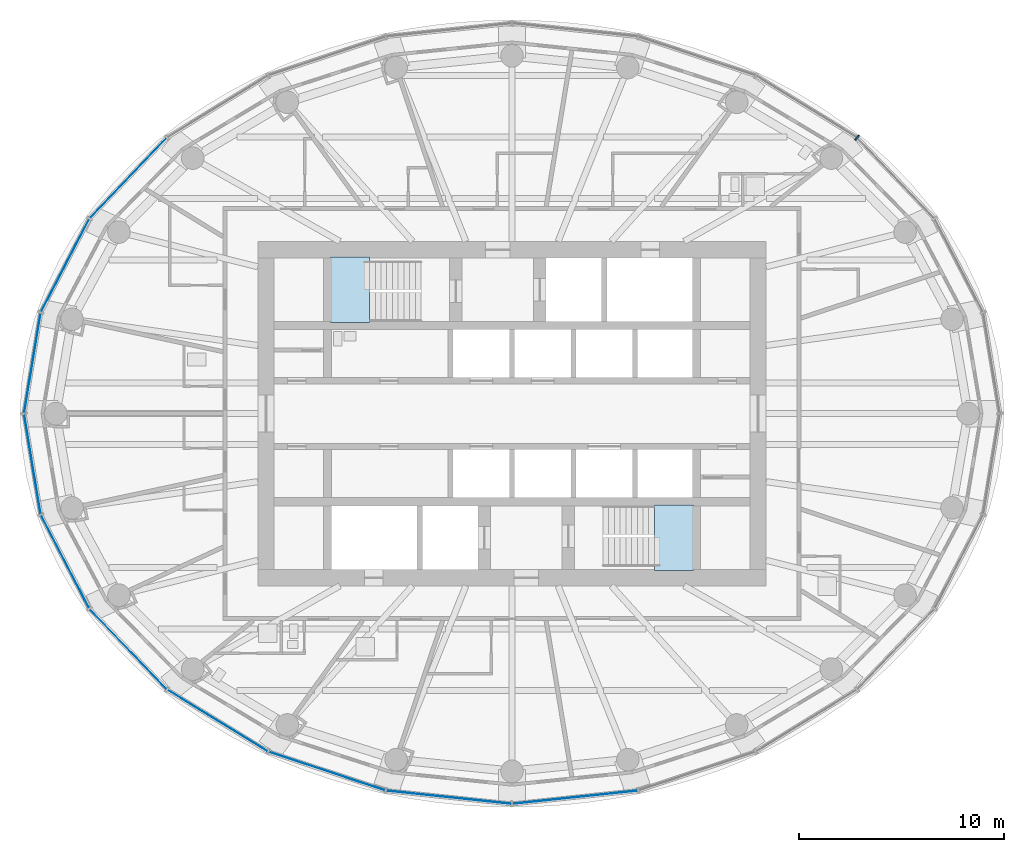
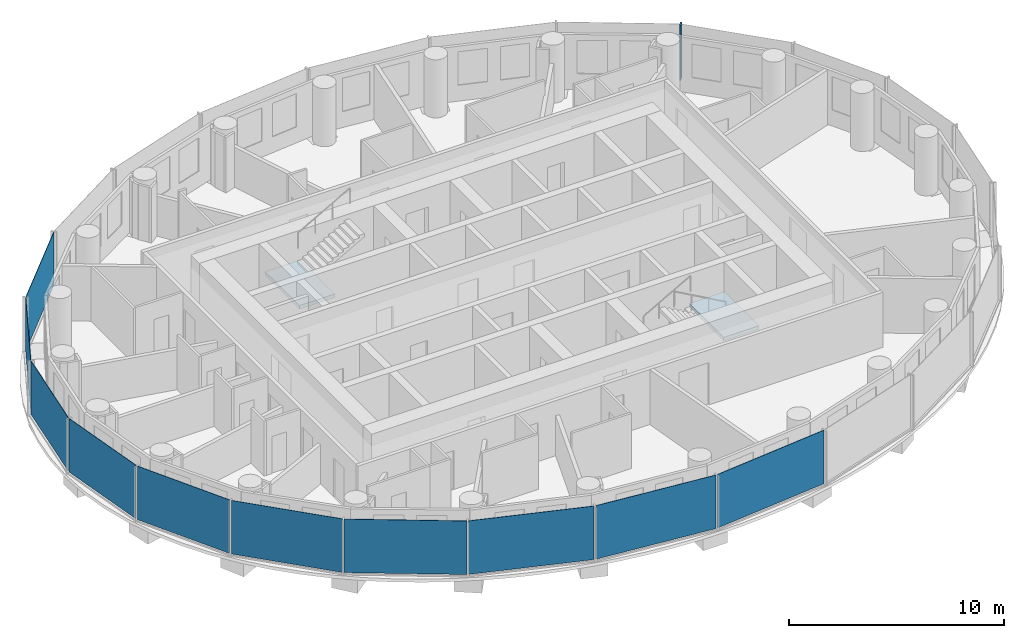
# One storey, part 5 of 16: 10 plates, 2 slabs, 1 member, 6 elements without a shape of their own.
"""IFC4 building model written with IfcOpenShell, lengths in metres."""

from ifc_helpers import new_model, si_unit, direction, frame, origin, origin_2d, place, context, subcontext, project, spatial, polyline, rectangle, outline, extrude, material, layer, layer_set, material_profile, profile_set, type_object, element, aggregate, save


model = new_model("IFC4")

# Units and contexts
model_context = context("Model", 3, precision=1e-05, world=origin(), true_north=direction((0.0, 1.0)))
body_context = subcontext(model_context, "Body", "Model", "MODEL_VIEW")
ifc_project = project(units=[si_unit("LENGTHUNIT", "METRE"), si_unit("AREAUNIT", "SQUARE_METRE"), si_unit("VOLUMEUNIT", "CUBIC_METRE"), si_unit("PLANEANGLEUNIT", "RADIAN"), si_unit("MASSUNIT", "GRAM", prefix="KILO")], contexts=[model_context])

# Site, building, storey
site_placement = place(None, origin())
site = spatial("IfcSite", under=ifc_project, at=site_placement, CompositionType="ELEMENT")
building_placement = place(site_placement, origin())
building = spatial("IfcBuilding", under=site, at=building_placement, Name="Hankou Lantern Tower", CompositionType="ELEMENT")
storey_placement = place(building_placement, frame((0.0, 0.0, 143.39990234375)))
storey = spatial("IfcBuildingStorey", under=building, at=storey_placement, Name="L37", CompositionType="ELEMENT", Elevation=143.39990234375)

# Curtain wall, member
ifc_material_1 = material(Name="Glass, dark grey tinted laminated", Category="glass")
curtain_wall_type = type_object("IfcCurtainWallType", Name="CWC OUTER SKIN HIGH-RISE", PredefinedType="USERDEFINED", material=ifc_material_1)
curtain_wall_1_placement = place(storey_placement, origin())
curtain_wall_1 = element("IfcCurtainWall", 1, at=curtain_wall_1_placement, inside=storey, type_object=curtain_wall_type, Name="CWC L37 OS1", ObjectType="OUTER SKIN HIGH-RISE", PredefinedType="USERDEFINED")
ifc_material_2 = material(Name="Aluminium, black anodised", Category="aluminium")
ifc_material_profile = material_profile(ifc_material_2, rectangle(XDim=0.080078125, YDim=0.300048828125, at=origin_2d()), Name="MU1 80X300")
ifc_profile_set = profile_set([ifc_material_profile], Name="Aluminium, black anodised")
member_type = type_object("IfcMemberType", Name="MU1 OUTER SKIN MULLION 80X300", PredefinedType="MULLION", material=ifc_profile_set)
member_placement = place(storey_placement, frame((16.8291015625, 13.46337890625, 0.0), z_axis=(0.0, 0.0, 1.0), x_axis=(-0.780868809444, 0.624695047553, 0.0)))
member = element("IfcMember", 2, at=member_placement, type_object=member_type, Name="CWC mullion 4", PredefinedType="MULLION", context=body_context, shape_type="SweptSolid", body=[
    extrude(rectangle(XDim=0.080078125, YDim=0.300048828125, at=origin_2d()), origin(), (0.0, 0.0, 1.0), 3.1201171875),
])
aggregate(curtain_wall_1, [member])

# Curtain wall, plates
curtain_wall_2_placement = place(storey_placement, origin())
curtain_wall_2 = element("IfcCurtainWall", 3, at=curtain_wall_2_placement, inside=storey, type_object=curtain_wall_type, Name="CWC L37 OS2", ObjectType="OUTER SKIN HIGH-RISE", PredefinedType="USERDEFINED")
ifc_material_3 = material(Name="Glass, dark grey tinted laminated", Category="glass")
ifc_layer_1 = layer(ifc_material_3, 0.02392578125)
ifc_layer_set_1 = layer_set([ifc_layer_1], Name="Glass, dark grey tinted laminated")
plate_type = type_object("IfcPlateType", Name="PN1 OUTER SKIN GLASS PANEL", PredefinedType="CURTAIN_PANEL", material=ifc_layer_set_1)
plate_1_placement = place(storey_placement, frame((-18.72021484375, 11.49169921875, 0.080078125), z_axis=(0.0, 0.0, 1.0), x_axis=(-0.692215809936, -0.721690565599, 0.0)))
plate_1 = element("IfcPlate", 4, at=plate_1_placement, type_object=plate_type, Name="CWC glass panel 4", PredefinedType="CURTAIN_PANEL", context=body_context, shape_type="SweptSolid", body=[
    extrude(rectangle(XDim=5.384033203125, YDim=0.02392578125, at=origin_2d()), origin(), (0.0, 0.0, 1.0), 3.0400390625),
])
plate_2_placement = place(storey_placement, frame((-21.80029296875, 7.223876953125, 0.080078125), z_axis=(0.0, 0.0, 1.0), x_axis=(-0.459791091957, -0.888027112062, 0.0)))
plate_2 = element("IfcPlate", 5, at=plate_2_placement, type_object=plate_type, Name="CWC glass panel 5", PredefinedType="CURTAIN_PANEL", context=body_context, shape_type="SweptSolid", body=[
    extrude(rectangle(XDim=5.091064453125, YDim=0.02392578125, at=origin_2d()), origin(), (0.0, 0.0, 1.0), 3.0400390625),
])
plate_3_placement = place(storey_placement, frame((-23.39453125, 2.4638671875, 0.080078125), z_axis=(0.0, 0.0, 1.0), x_axis=(-0.162381515188, -0.986728049427, 0.0)))
plate_3 = element("IfcPlate", 6, at=plate_3_placement, type_object=plate_type, Name="CWC glass panel 6", PredefinedType="CURTAIN_PANEL", context=body_context, shape_type="SweptSolid", body=[
    extrude(rectangle(XDim=4.914306640625, YDim=0.02392578125, at=origin_2d()), origin(), (0.0, 0.0, 1.0), 3.0400390625),
])
aggregate(curtain_wall_2, [plate_1, plate_2, plate_3])

curtain_wall_3_placement = place(storey_placement, origin())
curtain_wall_3 = element("IfcCurtainWall", 7, at=curtain_wall_3_placement, inside=storey, type_object=curtain_wall_type, Name="CWC L37 OS3", ObjectType="OUTER SKIN HIGH-RISE", PredefinedType="USERDEFINED")
plate_4_placement = place(storey_placement, frame((-23.39453125, -2.4638671875, 0.080078125), z_axis=(0.0, 0.0, 1.0), x_axis=(0.162381515188, -0.986728049427, 0.0)))
plate_4 = element("IfcPlate", 8, at=plate_4_placement, type_object=plate_type, Name="CWC glass panel 1", PredefinedType="CURTAIN_PANEL", context=body_context, shape_type="SweptSolid", body=[
    extrude(rectangle(XDim=4.914306640625, YDim=0.02392578125, at=origin_2d()), origin(), (0.0, 0.0, 1.0), 3.0400390625),
])
plate_5_placement = place(storey_placement, frame((-21.80029296875, -7.223876953125, 0.080078125), z_axis=(0.0, 0.0, 1.0), x_axis=(0.459791091957, -0.888027112062, 0.0)))
plate_5 = element("IfcPlate", 9, at=plate_5_placement, type_object=plate_type, Name="CWC glass panel 2", PredefinedType="CURTAIN_PANEL", context=body_context, shape_type="SweptSolid", body=[
    extrude(rectangle(XDim=5.091064453125, YDim=0.02392578125, at=origin_2d()), origin(), (0.0, 0.0, 1.0), 3.0400390625),
])
plate_6_placement = place(storey_placement, frame((-18.72021484375, -11.49169921875, 0.080078125), z_axis=(0.0, 0.0, 1.0), x_axis=(0.692215809936, -0.721690565599, 0.0)))
plate_6 = element("IfcPlate", 10, at=plate_6_placement, type_object=plate_type, Name="CWC glass panel 3", PredefinedType="CURTAIN_PANEL", context=body_context, shape_type="SweptSolid", body=[
    extrude(rectangle(XDim=5.384033203125, YDim=0.02392578125, at=origin_2d()), origin(), (0.0, 0.0, 1.0), 3.0400390625),
])
plate_7_placement = place(storey_placement, frame((-14.364501953125, -14.976318359375, 0.080078125), z_axis=(0.0, 0.0, 1.0), x_axis=(0.852237151549, -0.523155653242, 0.0)))
plate_7 = element("IfcPlate", 11, at=plate_7_placement, type_object=plate_type, Name="CWC glass panel 4", PredefinedType="CURTAIN_PANEL", context=body_context, shape_type="SweptSolid", body=[
    extrude(rectangle(XDim=5.703857421875, YDim=0.02392578125, at=origin_2d()), origin(), (0.0, 0.0, 1.0), 3.0400390625),
])
plate_8_placement = place(storey_placement, frame((-9.030029296875, -17.440185546875, 0.080078125), z_axis=(0.0, 0.0, 1.0), x_axis=(0.949240677293, -0.31455068999, 0.0)))
plate_8 = element("IfcPlate", 12, at=plate_8_placement, type_object=plate_type, Name="CWC glass panel 5", PredefinedType="CURTAIN_PANEL", context=body_context, shape_type="SweptSolid", body=[
    extrude(rectangle(XDim=5.967041015625, YDim=0.02392578125, at=origin_2d()), origin(), (0.0, 0.0, 1.0), 3.0400390625),
])
plate_9_placement = place(storey_placement, frame((-3.079833984375, -18.715576171875, 0.080078125), z_axis=(0.0, 0.0, 1.0), x_axis=(0.994499359107, -0.104742659579, 0.0)))
plate_9 = element("IfcPlate", 13, at=plate_9_placement, type_object=plate_type, Name="CWC glass panel 6", PredefinedType="CURTAIN_PANEL", context=body_context, shape_type="SweptSolid", body=[
    extrude(rectangle(XDim=6.114013671875, YDim=0.02392578125, at=origin_2d()), origin(), (0.0, 0.0, 1.0), 3.0400390625),
])
aggregate(curtain_wall_3, [plate_4, plate_5, plate_6, plate_7, plate_8, plate_9])

# Curtain wall, plate
curtain_wall_4_placement = place(storey_placement, origin())
curtain_wall_4 = element("IfcCurtainWall", 14, at=curtain_wall_4_placement, inside=storey, type_object=curtain_wall_type, Name="CWC L37 OS4", ObjectType="OUTER SKIN HIGH-RISE", PredefinedType="USERDEFINED")
plate_10_placement = place(storey_placement, frame((3.079833984375, -18.715576171875, 0.080078125), z_axis=(0.0, 0.0, 1.0), x_axis=(0.994499359107, 0.104742659579, 0.0)))
plate_10 = element("IfcPlate", 15, at=plate_10_placement, type_object=plate_type, Name="CWC glass panel 1", PredefinedType="CURTAIN_PANEL", context=body_context, shape_type="SweptSolid", body=[
    extrude(rectangle(XDim=6.114013671875, YDim=0.02392578125, at=origin_2d()), origin(), (0.0, 0.0, 1.0), 3.0400390625),
])
aggregate(curtain_wall_4, [plate_10])

# Stair, slab
ifc_material_4 = material(Name="Concrete C40", Category="concrete")
stair_type = type_object("IfcStairType", Name="ST33 CORE STAIR 3300 RISE", PredefinedType="HALF_TURN_STAIR", material=ifc_material_4)
stair_1_placement = place(storey_placement, origin())
stair_1 = element("IfcStair", 16, at=stair_1_placement, inside=storey, type_object=stair_type, Name="Stair STA L37", PredefinedType="HALF_TURN_STAIR")
ifc_material_5 = material(Name="Concrete C40", Category="concrete")
ifc_layer_2 = layer(ifc_material_5, 0.199951171875)
ifc_layer_set_2 = layer_set([ifc_layer_2], Name="Concrete C40")
slab_type = type_object("IfcSlabType", Name="SL1 STAIR LANDING 200", PredefinedType="LANDING", material=ifc_layer_set_2)
slab_1_placement = place(storey_placement, frame((0.0, 0.0, 1.37158203125)))
slab_1 = element("IfcSlab", 17, at=slab_1_placement, type_object=slab_type, Name="STA landing 1", PredefinedType="LANDING", context=body_context, shape_type="SweptSolid", body=[
    extrude(outline(polyline([(-8.85009765625, 4.449951171875), (-6.949951171875, 4.449951171875), (-6.949951171875, 7.64990234375), (-8.85009765625, 7.64990234375), (-8.85009765625, 4.449951171875)])), origin(), (0.0, 0.0, 1.0), 0.199951171875),
])
aggregate(stair_1, [slab_1])

stair_2_placement = place(storey_placement, origin())
stair_2 = element("IfcStair", 18, at=stair_2_placement, inside=storey, type_object=stair_type, Name="Stair STB L37", PredefinedType="HALF_TURN_STAIR")
slab_2_placement = place(storey_placement, frame((0.0, 0.0, 1.37158203125)))
slab_2 = element("IfcSlab", 19, at=slab_2_placement, type_object=slab_type, Name="STB landing 1", PredefinedType="LANDING", context=body_context, shape_type="SweptSolid", body=[
    extrude(outline(polyline([(8.85009765625, -4.449951171875), (6.949951171875, -4.449951171875), (6.949951171875, -7.64990234375), (8.85009765625, -7.64990234375), (8.85009765625, -4.449951171875)])), origin(), (0.0, 0.0, 1.0), 0.199951171875),
])
aggregate(stair_2, [slab_2])

save(model, "model.ifc")
